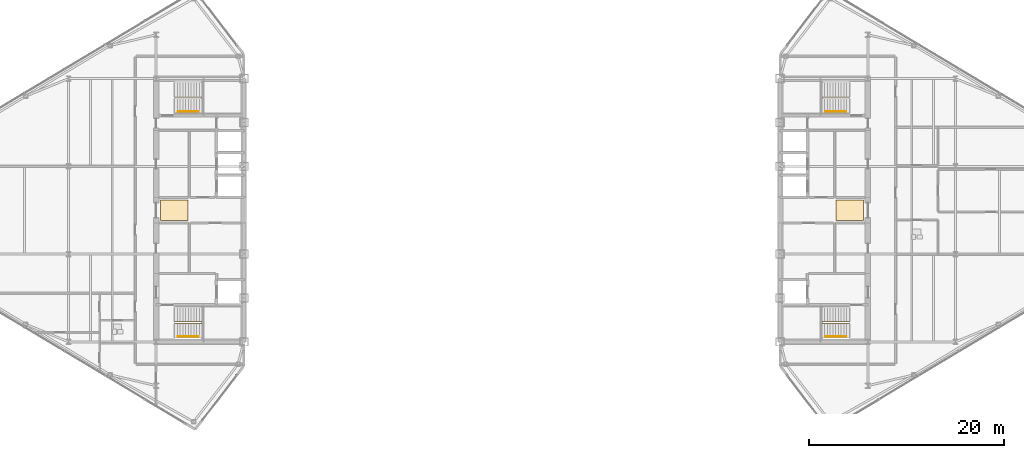
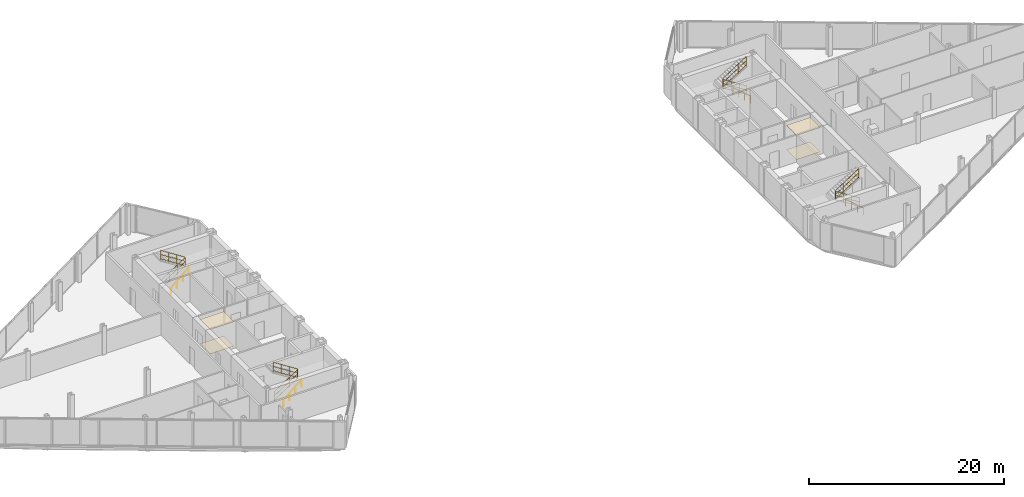
# One storey, part 24 of 25: 8 railings, 4 coverings.
"""IFC4 building model written with IfcOpenShell, lengths in metres."""

from ifc_helpers import new_model, si_unit, direction, frame, origin, origin_2d, place, context, subcontext, project, spatial, polyline, circle, outline, extrude, material, layer, layer_set, type_object, element, save


model = new_model("IFC4")

# Units and contexts
model_context = context("Model", 3, precision=1e-05, world=origin(), true_north=direction((0.0, 1.0)))
body_context = subcontext(model_context, "Body", "Model", "MODEL_VIEW")
ifc_project = project(units=[si_unit("LENGTHUNIT", "METRE"), si_unit("AREAUNIT", "SQUARE_METRE"), si_unit("VOLUMEUNIT", "CUBIC_METRE"), si_unit("PLANEANGLEUNIT", "RADIAN"), si_unit("MASSUNIT", "GRAM", prefix="KILO")], contexts=[model_context])

# Site, building, storey
site_placement = place(None, origin())
site = spatial("IfcSite", under=ifc_project, at=site_placement, CompositionType="ELEMENT")
building_placement = place(site_placement, origin())
building = spatial("IfcBuilding", under=site, at=building_placement, Name="Seokmaru Belvedere", CompositionType="ELEMENT")
storey_placement = place(building_placement, frame((0.0, 0.0, 203.10009765625)))
storey = spatial("IfcBuildingStorey", under=building, at=storey_placement, Name="L54", CompositionType="ELEMENT", Elevation=203.10009765625)

# Coverings
ifc_material_1 = material(Name="Engineered White Oak Timber", Category="wood")
ifc_layer_1 = layer(ifc_material_1, 0.02197265625)
ifc_layer_set_1 = layer_set([ifc_layer_1], Name="Engineered White Oak Timber")
covering_type_1 = type_object("IfcCoveringType", Name="Engineered Oak Residence Floor Finish 22", PredefinedType="FLOORING", material=ifc_layer_set_1)
covering_1_placement = place(storey_placement, origin())
element("IfcCovering", 1, at=covering_1_placement, inside=storey, type_object=covering_type_1, Name="L54 W Foyer Floor Finish", PredefinedType="FLOORING", context=body_context, shape_type="SweptSolid", body=[
    extrude(outline(polyline([(-36.050048828125, -1.050048828125), (-33.25, -1.050048828125), (-33.25, 1.050048828125), (-36.050048828125, 1.050048828125), (-36.050048828125, -1.050048828125)])), origin(), (0.0, 0.0, 1.0), 0.02197265625),
])
covering_2_placement = place(storey_placement, origin())
element("IfcCovering", 2, at=covering_2_placement, inside=storey, type_object=covering_type_1, Name="L54 E Foyer Floor Finish", PredefinedType="FLOORING", context=body_context, shape_type="SweptSolid", body=[
    extrude(outline(polyline([(33.25, -1.050048828125), (36.050048828125, -1.050048828125), (36.050048828125, 1.050048828125), (33.25, 1.050048828125), (33.25, -1.050048828125)])), origin(), (0.0, 0.0, 1.0), 0.02197265625),
])
ifc_material_2 = material(Name="Fire-Rated Gypsum Shaftwall")
ifc_layer_2 = layer(ifc_material_2, 0.02490234375)
ifc_layer_set_2 = layer_set([ifc_layer_2], Name="Fire-Rated Gypsum Shaftwall")
covering_type_2 = type_object("IfcCoveringType", Name="Perforated Acoustic Gypsum Suspended Ceiling 25", PredefinedType="CEILING", material=ifc_layer_set_2)
covering_3_placement = place(storey_placement, frame((0.0, 0.0, 3.02978515625)))
element("IfcCovering", 3, at=covering_3_placement, inside=storey, type_object=covering_type_2, Name="L54 W Lift Foyer Acoustic Ceiling", PredefinedType="CEILING", context=body_context, shape_type="SweptSolid", body=[
    extrude(outline(polyline([(-36.050048828125, -1.050048828125), (-33.25, -1.050048828125), (-33.25, 1.050048828125), (-36.050048828125, 1.050048828125), (-36.050048828125, -1.050048828125)])), origin(), (0.0, 0.0, 1.0), 0.025146484375),
])
covering_4_placement = place(storey_placement, frame((0.0, 0.0, 3.02978515625)))
element("IfcCovering", 4, at=covering_4_placement, inside=storey, type_object=covering_type_2, Name="L54 E Lift Foyer Acoustic Ceiling", PredefinedType="CEILING", context=body_context, shape_type="SweptSolid", body=[
    extrude(outline(polyline([(33.25, -1.050048828125), (36.050048828125, -1.050048828125), (36.050048828125, 1.050048828125), (33.25, 1.050048828125), (33.25, -1.050048828125)])), origin(), (0.0, 0.0, 1.0), 0.025146484375),
])

# Railings
ifc_material_3 = material(Name="Stainless Steel 316", Category="steel")
railing_type_1 = type_object("IfcRailingType", Name="Stainless Steel Wall and Flight Handrail 900", PredefinedType="HANDRAIL", material=ifc_material_3)
for number, where, name in (
    (5, (-34.25, -12.949951171875, 0.0), "L54 Stair ST-W1 Wall Handrail"),
    (6, (-34.25, 10.110107421875, 0.0), "L54 Stair ST-W2 Wall Handrail"),
):
    element("IfcRailing", number, at=place(storey_placement, frame(where)), inside=storey, type_object=railing_type_1, Name=name, PredefinedType="HANDRAIL", context=body_context, shape_type="SweptSolid", body=[
        extrude(circle(Radius=0.02392578125, at=origin_2d()), frame((0.0, 0.0, 0.8759765625), z_axis=(0.759306447245, 0.0, 0.650733216588), x_axis=(0.0, 1.0, 0.0)), (0.0, 0.0, 1.0), 2.765869140625),
        extrude(circle(Radius=0.02099609375, at=origin_2d()), origin(), (0.0, 0.0, 1.0), 0.851806640625),
        extrude(circle(Radius=0.02099609375, at=origin_2d()), frame((0.699951171875, 0.0, 0.599853515625)), (0.0, 0.0, 1.0), 0.851806640625),
        extrude(circle(Radius=0.02099609375, at=origin_2d()), frame((1.400146484375, 0.0, 1.199951171875)), (0.0, 0.0, 1.0), 0.851806640625),
        extrude(circle(Radius=0.02099609375, at=origin_2d()), frame((2.10009765625, 0.0, 1.7998046875)), (0.0, 0.0, 1.0), 0.851806640625),
    ])
for number, where, name in (
    (7, (34.25, -12.949951171875, 0.0), "L54 Stair ST-E1 Wall Handrail"),
    (8, (34.25, 10.110107421875, 0.0), "L54 Stair ST-E2 Wall Handrail"),
):
    element("IfcRailing", number, at=place(storey_placement, frame(where)), inside=storey, type_object=railing_type_1, Name=name, PredefinedType="HANDRAIL", context=body_context, shape_type="SweptSolid", body=[
        extrude(circle(Radius=0.02392578125, at=origin_2d()), frame((0.0, 0.0, 0.8759765625), z_axis=(-0.759306447245, 0.0, 0.650733216588), x_axis=(0.0, -1.0, 0.0)), (0.0, 0.0, 1.0), 2.765869140625),
        extrude(circle(Radius=0.02099609375, at=origin_2d()), origin(), (0.0, 0.0, 1.0), 0.851806640625),
        extrude(circle(Radius=0.02099609375, at=origin_2d()), frame((-0.699951171875, 0.0, 0.599853515625)), (0.0, 0.0, 1.0), 0.851806640625),
        extrude(circle(Radius=0.02099609375, at=origin_2d()), frame((-1.400146484375, 0.0, 1.199951171875)), (0.0, 0.0, 1.0), 0.851806640625),
        extrude(circle(Radius=0.02099609375, at=origin_2d()), frame((-2.10009765625, 0.0, 1.7998046875)), (0.0, 0.0, 1.0), 0.851806640625),
    ])
railing_type_2 = type_object("IfcRailingType", Name="Stair Well and Atrium Steel Guardrail 1200", PredefinedType="GUARDRAIL", material=ifc_material_3)
railing_1_placement = place(storey_placement, frame((-34.60009765625, -11.60009765625, 0.0)))
element("IfcRailing", 9, at=railing_1_placement, inside=storey, type_object=railing_type_2, Name="L54 Stair ST-W1 Inner Well Guardrail", PredefinedType="GUARDRAIL", context=body_context, shape_type="SweptSolid", body=[
    extrude(circle(Radius=0.02392578125, at=origin_2d()), frame((0.0, 0.0, 1.17578125), z_axis=(0.841209454229, 0.0, 0.540709398952), x_axis=(0.0, 1.0, 0.0)), (0.0, 0.0, 1.0), 3.32861328125),
    extrude(circle(Radius=0.02392578125, at=origin_2d()), frame((0.0, 0.0, 0.1201171875), z_axis=(0.841209454229, 0.0, 0.540709398952), x_axis=(0.0, 1.0, 0.0)), (0.0, 0.0, 1.0), 3.32861328125),
    extrude(circle(Radius=0.02392578125, at=origin_2d()), frame((0.0, 0.0, 0.659912109375), z_axis=(0.841209454229, 0.0, 0.540709398952), x_axis=(0.0, 1.0, 0.0)), (0.0, 0.0, 1.0), 3.32861328125),
    extrude(circle(Radius=0.02392578125, at=origin_2d()), frame((2.800048828125, 0.0, 2.9755859375), z_axis=(0.0, 1.0, 0.0), x_axis=(-1.0, 0.0, 0.0)), (0.0, 0.0, 1.0), 0.14013671875),
    extrude(circle(Radius=0.02392578125, at=origin_2d()), frame((2.800048828125, 0.0, 1.919921875), z_axis=(0.0, 1.0, 0.0), x_axis=(-1.0, 0.0, 0.0)), (0.0, 0.0, 1.0), 0.14013671875),
    extrude(circle(Radius=0.02392578125, at=origin_2d()), frame((2.800048828125, 0.0, 2.459716796875), z_axis=(0.0, 1.0, 0.0), x_axis=(-1.0, 0.0, 0.0)), (0.0, 0.0, 1.0), 0.14013671875),
    extrude(circle(Radius=0.02392578125, at=origin_2d()), frame((2.800048828125, 0.14013671875, 2.9755859375), z_axis=(-0.841176092368, 0.0, 0.540761298198), x_axis=(0.0, -1.0, 0.0)), (0.0, 0.0, 1.0), 3.32861328125),
    extrude(circle(Radius=0.02392578125, at=origin_2d()), frame((2.800048828125, 0.14013671875, 1.919921875), z_axis=(-0.841176092368, 0.0, 0.540761298198), x_axis=(0.0, -1.0, 0.0)), (0.0, 0.0, 1.0), 3.32861328125),
    extrude(circle(Radius=0.02392578125, at=origin_2d()), frame((2.800048828125, 0.14013671875, 2.459716796875), z_axis=(-0.841176092368, 0.0, 0.540761298198), x_axis=(0.0, -1.0, 0.0)), (0.0, 0.0, 1.0), 3.32861328125),
    extrude(circle(Radius=0.02099609375, at=origin_2d()), origin(), (0.0, 0.0, 1.0), 1.15185546875),
    extrude(circle(Radius=0.02099609375, at=origin_2d()), frame((0.933349609375, 0.0, 0.599853515625)), (0.0, 0.0, 1.0), 1.15185546875),
    extrude(circle(Radius=0.02099609375, at=origin_2d()), frame((1.86669921875, 0.0, 1.199951171875)), (0.0, 0.0, 1.0), 1.15185546875),
    extrude(circle(Radius=0.02099609375, at=origin_2d()), frame((2.800048828125, 0.0, 1.7998046875)), (0.0, 0.0, 1.0), 1.15185546875),
    extrude(circle(Radius=0.02099609375, at=origin_2d()), frame((2.800048828125, 0.14013671875, 1.7998046875)), (0.0, 0.0, 1.0), 1.15185546875),
    extrude(circle(Radius=0.02099609375, at=origin_2d()), frame((1.86669921875, 0.14013671875, 2.39990234375)), (0.0, 0.0, 1.0), 1.15185546875),
    extrude(circle(Radius=0.02099609375, at=origin_2d()), frame((0.933349609375, 0.14013671875, 2.999755859375)), (0.0, 0.0, 1.0), 1.15185546875),
    extrude(circle(Radius=0.02099609375, at=origin_2d()), frame((0.0, 0.14013671875, 3.599853515625)), (0.0, 0.0, 1.0), 1.15185546875),
])
railing_2_placement = place(storey_placement, frame((-34.60009765625, 11.4599609375, 0.0)))
element("IfcRailing", 10, at=railing_2_placement, inside=storey, type_object=railing_type_2, Name="L54 Stair ST-W2 Inner Well Guardrail", PredefinedType="GUARDRAIL", context=body_context, shape_type="SweptSolid", body=[
    extrude(circle(Radius=0.02392578125, at=origin_2d()), frame((0.0, 0.0, 1.17578125), z_axis=(0.841209454229, 0.0, 0.540709398952), x_axis=(0.0, 1.0, 0.0)), (0.0, 0.0, 1.0), 3.32861328125),
    extrude(circle(Radius=0.02392578125, at=origin_2d()), frame((0.0, 0.0, 0.1201171875), z_axis=(0.841209454229, 0.0, 0.540709398952), x_axis=(0.0, 1.0, 0.0)), (0.0, 0.0, 1.0), 3.32861328125),
    extrude(circle(Radius=0.02392578125, at=origin_2d()), frame((0.0, 0.0, 0.659912109375), z_axis=(0.841209454229, 0.0, 0.540709398952), x_axis=(0.0, 1.0, 0.0)), (0.0, 0.0, 1.0), 3.32861328125),
    extrude(circle(Radius=0.02392578125, at=origin_2d()), frame((2.800048828125, 0.0, 2.9755859375), z_axis=(0.0, 1.0, 0.0), x_axis=(-1.0, 0.0, 0.0)), (0.0, 0.0, 1.0), 0.14013671875),
    extrude(circle(Radius=0.02392578125, at=origin_2d()), frame((2.800048828125, 0.0, 1.919921875), z_axis=(0.0, 1.0, 0.0), x_axis=(-1.0, 0.0, 0.0)), (0.0, 0.0, 1.0), 0.14013671875),
    extrude(circle(Radius=0.02392578125, at=origin_2d()), frame((2.800048828125, 0.0, 2.459716796875), z_axis=(0.0, 1.0, 0.0), x_axis=(-1.0, 0.0, 0.0)), (0.0, 0.0, 1.0), 0.14013671875),
    extrude(circle(Radius=0.02392578125, at=origin_2d()), frame((2.800048828125, 0.14013671875, 2.9755859375), z_axis=(-0.841176092368, 0.0, 0.540761298198), x_axis=(0.0, -1.0, 0.0)), (0.0, 0.0, 1.0), 3.32861328125),
    extrude(circle(Radius=0.02392578125, at=origin_2d()), frame((2.800048828125, 0.14013671875, 1.919921875), z_axis=(-0.841176092368, 0.0, 0.540761298198), x_axis=(0.0, -1.0, 0.0)), (0.0, 0.0, 1.0), 3.32861328125),
    extrude(circle(Radius=0.02392578125, at=origin_2d()), frame((2.800048828125, 0.14013671875, 2.459716796875), z_axis=(-0.841176092368, 0.0, 0.540761298198), x_axis=(0.0, -1.0, 0.0)), (0.0, 0.0, 1.0), 3.32861328125),
    extrude(circle(Radius=0.02099609375, at=origin_2d()), origin(), (0.0, 0.0, 1.0), 1.15185546875),
    extrude(circle(Radius=0.02099609375, at=origin_2d()), frame((0.933349609375, 0.0, 0.599853515625)), (0.0, 0.0, 1.0), 1.15185546875),
    extrude(circle(Radius=0.02099609375, at=origin_2d()), frame((1.86669921875, 0.0, 1.199951171875)), (0.0, 0.0, 1.0), 1.15185546875),
    extrude(circle(Radius=0.02099609375, at=origin_2d()), frame((2.800048828125, 0.0, 1.7998046875)), (0.0, 0.0, 1.0), 1.15185546875),
    extrude(circle(Radius=0.02099609375, at=origin_2d()), frame((2.800048828125, 0.14013671875, 1.7998046875)), (0.0, 0.0, 1.0), 1.15185546875),
    extrude(circle(Radius=0.02099609375, at=origin_2d()), frame((1.86669921875, 0.14013671875, 2.39990234375)), (0.0, 0.0, 1.0), 1.15185546875),
    extrude(circle(Radius=0.02099609375, at=origin_2d()), frame((0.933349609375, 0.14013671875, 2.999755859375)), (0.0, 0.0, 1.0), 1.15185546875),
    extrude(circle(Radius=0.02099609375, at=origin_2d()), frame((0.0, 0.14013671875, 3.599853515625)), (0.0, 0.0, 1.0), 1.15185546875),
])
railing_3_placement = place(storey_placement, frame((34.60009765625, -11.60009765625, 0.0)))
element("IfcRailing", 11, at=railing_3_placement, inside=storey, type_object=railing_type_2, Name="L54 Stair ST-E1 Inner Well Guardrail", PredefinedType="GUARDRAIL", context=body_context, shape_type="SweptSolid", body=[
    extrude(circle(Radius=0.02392578125, at=origin_2d()), frame((0.0, 0.0, 1.17578125), z_axis=(-0.841209454229, 0.0, 0.540709398952), x_axis=(0.0, -1.0, 0.0)), (0.0, 0.0, 1.0), 3.32861328125),
    extrude(circle(Radius=0.02392578125, at=origin_2d()), frame((0.0, 0.0, 0.1201171875), z_axis=(-0.841209454229, 0.0, 0.540709398952), x_axis=(0.0, -1.0, 0.0)), (0.0, 0.0, 1.0), 3.32861328125),
    extrude(circle(Radius=0.02392578125, at=origin_2d()), frame((0.0, 0.0, 0.659912109375), z_axis=(-0.841209454229, 0.0, 0.540709398952), x_axis=(0.0, -1.0, 0.0)), (0.0, 0.0, 1.0), 3.32861328125),
    extrude(circle(Radius=0.02392578125, at=origin_2d()), frame((-2.800048828125, 0.0, 2.9755859375), z_axis=(0.0, 1.0, 0.0), x_axis=(-1.0, 0.0, 0.0)), (0.0, 0.0, 1.0), 0.14013671875),
    extrude(circle(Radius=0.02392578125, at=origin_2d()), frame((-2.800048828125, 0.0, 1.919921875), z_axis=(0.0, 1.0, 0.0), x_axis=(-1.0, 0.0, 0.0)), (0.0, 0.0, 1.0), 0.14013671875),
    extrude(circle(Radius=0.02392578125, at=origin_2d()), frame((-2.800048828125, 0.0, 2.459716796875), z_axis=(0.0, 1.0, 0.0), x_axis=(-1.0, 0.0, 0.0)), (0.0, 0.0, 1.0), 0.14013671875),
    extrude(circle(Radius=0.02392578125, at=origin_2d()), frame((-2.800048828125, 0.14013671875, 2.9755859375), z_axis=(0.841176092368, 0.0, 0.540761298198), x_axis=(0.0, 1.0, 0.0)), (0.0, 0.0, 1.0), 3.32861328125),
    extrude(circle(Radius=0.02392578125, at=origin_2d()), frame((-2.800048828125, 0.14013671875, 1.919921875), z_axis=(0.841176092368, 0.0, 0.540761298198), x_axis=(0.0, 1.0, 0.0)), (0.0, 0.0, 1.0), 3.32861328125),
    extrude(circle(Radius=0.02392578125, at=origin_2d()), frame((-2.800048828125, 0.14013671875, 2.459716796875), z_axis=(0.841176092368, 0.0, 0.540761298198), x_axis=(0.0, 1.0, 0.0)), (0.0, 0.0, 1.0), 3.32861328125),
    extrude(circle(Radius=0.02099609375, at=origin_2d()), origin(), (0.0, 0.0, 1.0), 1.15185546875),
    extrude(circle(Radius=0.02099609375, at=origin_2d()), frame((-0.933349609375, 0.0, 0.599853515625)), (0.0, 0.0, 1.0), 1.15185546875),
    extrude(circle(Radius=0.02099609375, at=origin_2d()), frame((-1.86669921875, 0.0, 1.199951171875)), (0.0, 0.0, 1.0), 1.15185546875),
    extrude(circle(Radius=0.02099609375, at=origin_2d()), frame((-2.800048828125, 0.0, 1.7998046875)), (0.0, 0.0, 1.0), 1.15185546875),
    extrude(circle(Radius=0.02099609375, at=origin_2d()), frame((-2.800048828125, 0.14013671875, 1.7998046875)), (0.0, 0.0, 1.0), 1.15185546875),
    extrude(circle(Radius=0.02099609375, at=origin_2d()), frame((-1.86669921875, 0.14013671875, 2.39990234375)), (0.0, 0.0, 1.0), 1.15185546875),
    extrude(circle(Radius=0.02099609375, at=origin_2d()), frame((-0.933349609375, 0.14013671875, 2.999755859375)), (0.0, 0.0, 1.0), 1.15185546875),
    extrude(circle(Radius=0.02099609375, at=origin_2d()), frame((0.0, 0.14013671875, 3.599853515625)), (0.0, 0.0, 1.0), 1.15185546875),
])
railing_4_placement = place(storey_placement, frame((34.60009765625, 11.4599609375, 0.0)))
element("IfcRailing", 12, at=railing_4_placement, inside=storey, type_object=railing_type_2, Name="L54 Stair ST-E2 Inner Well Guardrail", PredefinedType="GUARDRAIL", context=body_context, shape_type="SweptSolid", body=[
    extrude(circle(Radius=0.02392578125, at=origin_2d()), frame((0.0, 0.0, 1.17578125), z_axis=(-0.841209454229, 0.0, 0.540709398952), x_axis=(0.0, -1.0, 0.0)), (0.0, 0.0, 1.0), 3.32861328125),
    extrude(circle(Radius=0.02392578125, at=origin_2d()), frame((0.0, 0.0, 0.1201171875), z_axis=(-0.841209454229, 0.0, 0.540709398952), x_axis=(0.0, -1.0, 0.0)), (0.0, 0.0, 1.0), 3.32861328125),
    extrude(circle(Radius=0.02392578125, at=origin_2d()), frame((0.0, 0.0, 0.659912109375), z_axis=(-0.841209454229, 0.0, 0.540709398952), x_axis=(0.0, -1.0, 0.0)), (0.0, 0.0, 1.0), 3.32861328125),
    extrude(circle(Radius=0.02392578125, at=origin_2d()), frame((-2.800048828125, 0.0, 2.9755859375), z_axis=(0.0, 1.0, 0.0), x_axis=(-1.0, 0.0, 0.0)), (0.0, 0.0, 1.0), 0.14013671875),
    extrude(circle(Radius=0.02392578125, at=origin_2d()), frame((-2.800048828125, 0.0, 1.919921875), z_axis=(0.0, 1.0, 0.0), x_axis=(-1.0, 0.0, 0.0)), (0.0, 0.0, 1.0), 0.14013671875),
    extrude(circle(Radius=0.02392578125, at=origin_2d()), frame((-2.800048828125, 0.0, 2.459716796875), z_axis=(0.0, 1.0, 0.0), x_axis=(-1.0, 0.0, 0.0)), (0.0, 0.0, 1.0), 0.14013671875),
    extrude(circle(Radius=0.02392578125, at=origin_2d()), frame((-2.800048828125, 0.14013671875, 2.9755859375), z_axis=(0.841176092368, 0.0, 0.540761298198), x_axis=(0.0, 1.0, 0.0)), (0.0, 0.0, 1.0), 3.32861328125),
    extrude(circle(Radius=0.02392578125, at=origin_2d()), frame((-2.800048828125, 0.14013671875, 1.919921875), z_axis=(0.841176092368, 0.0, 0.540761298198), x_axis=(0.0, 1.0, 0.0)), (0.0, 0.0, 1.0), 3.32861328125),
    extrude(circle(Radius=0.02392578125, at=origin_2d()), frame((-2.800048828125, 0.14013671875, 2.459716796875), z_axis=(0.841176092368, 0.0, 0.540761298198), x_axis=(0.0, 1.0, 0.0)), (0.0, 0.0, 1.0), 3.32861328125),
    extrude(circle(Radius=0.02099609375, at=origin_2d()), origin(), (0.0, 0.0, 1.0), 1.15185546875),
    extrude(circle(Radius=0.02099609375, at=origin_2d()), frame((-0.933349609375, 0.0, 0.599853515625)), (0.0, 0.0, 1.0), 1.15185546875),
    extrude(circle(Radius=0.02099609375, at=origin_2d()), frame((-1.86669921875, 0.0, 1.199951171875)), (0.0, 0.0, 1.0), 1.15185546875),
    extrude(circle(Radius=0.02099609375, at=origin_2d()), frame((-2.800048828125, 0.0, 1.7998046875)), (0.0, 0.0, 1.0), 1.15185546875),
    extrude(circle(Radius=0.02099609375, at=origin_2d()), frame((-2.800048828125, 0.14013671875, 1.7998046875)), (0.0, 0.0, 1.0), 1.15185546875),
    extrude(circle(Radius=0.02099609375, at=origin_2d()), frame((-1.86669921875, 0.14013671875, 2.39990234375)), (0.0, 0.0, 1.0), 1.15185546875),
    extrude(circle(Radius=0.02099609375, at=origin_2d()), frame((-0.933349609375, 0.14013671875, 2.999755859375)), (0.0, 0.0, 1.0), 1.15185546875),
    extrude(circle(Radius=0.02099609375, at=origin_2d()), frame((0.0, 0.14013671875, 3.599853515625)), (0.0, 0.0, 1.0), 1.15185546875),
])

save(model, "model.ifc")
